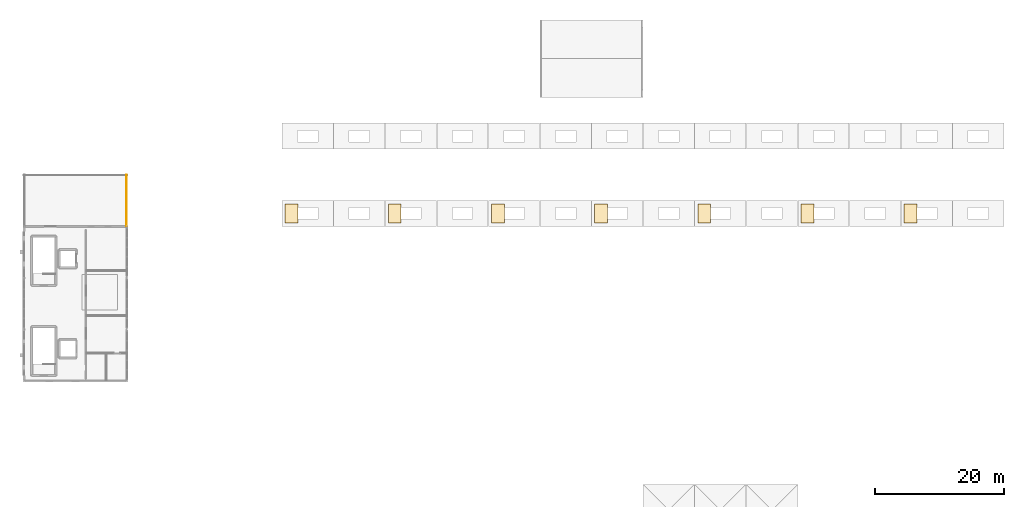
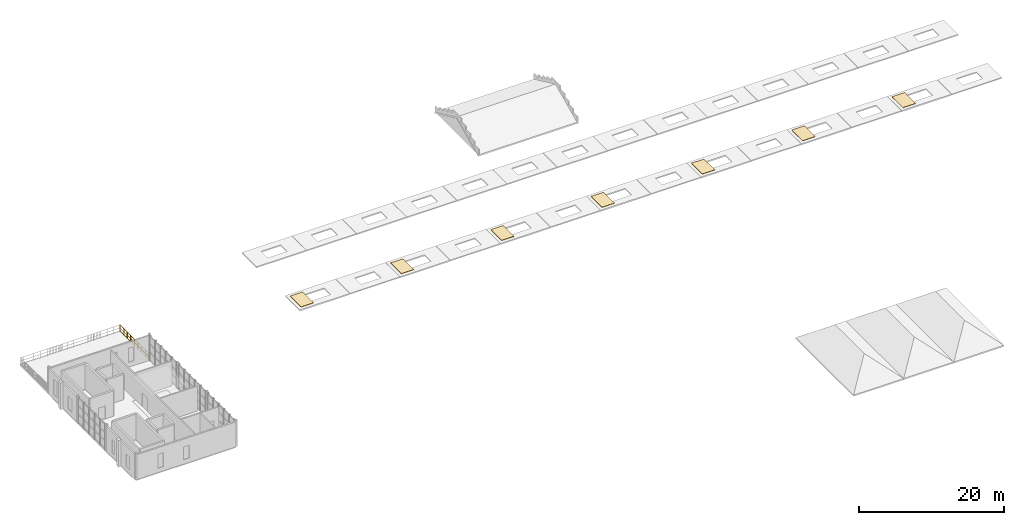
# One storey, part 9 of 9: 7 coverings, 1 railing.
"""IFC4 building model written with IfcOpenShell, lengths in metres."""

from ifc_helpers import new_model, si_unit, direction, frame, origin, origin_2d, place, context, subcontext, project, spatial, polyline, rectangle, outline, extrude, material, layer, layer_set, type_object, element, save


model = new_model("IFC4")

# Units and contexts
model_context = context("Model", 3, precision=1e-05, world=origin(), true_north=direction((0.0, 1.0)))
body_context = subcontext(model_context, "Body", "Model", "MODEL_VIEW")
ifc_project = project(units=[si_unit("LENGTHUNIT", "METRE"), si_unit("AREAUNIT", "SQUARE_METRE"), si_unit("VOLUMEUNIT", "CUBIC_METRE"), si_unit("PLANEANGLEUNIT", "RADIAN"), si_unit("MASSUNIT", "GRAM", prefix="KILO")], contexts=[model_context])

# Site, building, storey
site_placement = place(None, origin())
site = spatial("IfcSite", under=ifc_project, at=site_placement, CompositionType="ELEMENT")
building_placement = place(site_placement, origin())
building = spatial("IfcBuilding", under=site, at=building_placement, Name="Serraluz Foothill Cableway Terminal", CompositionType="ELEMENT")
storey_placement = place(building_placement, frame((0.0, 0.0, 19.800048828125)))
storey = spatial("IfcBuildingStorey", under=building, at=storey_placement, Name="L04", CompositionType="ELEMENT", Elevation=19.800048828125)

# Coverings
ifc_material_1 = material(Name="Standing-seam zinc-titanium roof assembly", Category="metal")
ifc_layer_1 = layer(ifc_material_1, 0.06005859375, Name="Standing-seam zinc-titanium roof assembly", Category="metal")
ifc_layer_set_1 = layer_set([ifc_layer_1], Name="Standing-seam zinc-titanium roof assembly")
covering_type = type_object("IfcCoveringType", Name="TYP-COV-ROOF-60", PredefinedType="ROOFING", material=ifc_layer_set_1)
covering_1_placement = place(storey_placement, origin())
element("IfcCovering", 1, at=covering_1_placement, inside=storey, type_object=covering_type, Name="Standing Seam Eaves Roofing 1", PredefinedType="ROOFING", context=body_context, shape_type="SweptSolid", body=[
    extrude(outline(polyline([(40.5, 56.5), (42.5, 56.5), (42.5, 59.5), (40.5, 59.5), (40.5, 56.5)])), origin(), (0.0, 0.0, 1.0), 0.06005859375),
])
covering_2_placement = place(storey_placement, origin())
element("IfcCovering", 2, at=covering_2_placement, inside=storey, type_object=covering_type, Name="Standing Seam Eaves Roofing 2", PredefinedType="ROOFING", context=body_context, shape_type="SweptSolid", body=[
    extrude(outline(polyline([(56.5, 56.5), (58.5, 56.5), (58.5, 59.5), (56.5, 59.5), (56.5, 56.5)])), origin(), (0.0, 0.0, 1.0), 0.06005859375),
])
covering_3_placement = place(storey_placement, origin())
element("IfcCovering", 3, at=covering_3_placement, inside=storey, type_object=covering_type, Name="Standing Seam Eaves Roofing 3", PredefinedType="ROOFING", context=body_context, shape_type="SweptSolid", body=[
    extrude(outline(polyline([(72.5, 56.5), (74.5, 56.5), (74.5, 59.5), (72.5, 59.5), (72.5, 56.5)])), origin(), (0.0, 0.0, 1.0), 0.06005859375),
])
covering_4_placement = place(storey_placement, origin())
element("IfcCovering", 4, at=covering_4_placement, inside=storey, type_object=covering_type, Name="Standing Seam Eaves Roofing 4", PredefinedType="ROOFING", context=body_context, shape_type="SweptSolid", body=[
    extrude(outline(polyline([(88.5, 56.5), (90.5, 56.5), (90.5, 59.5), (88.5, 59.5), (88.5, 56.5)])), origin(), (0.0, 0.0, 1.0), 0.06005859375),
])
covering_5_placement = place(storey_placement, origin())
element("IfcCovering", 5, at=covering_5_placement, inside=storey, type_object=covering_type, Name="Standing Seam Eaves Roofing 5", PredefinedType="ROOFING", context=body_context, shape_type="SweptSolid", body=[
    extrude(outline(polyline([(104.5, 56.5), (106.5, 56.5), (106.5, 59.5), (104.5, 59.5), (104.5, 56.5)])), origin(), (0.0, 0.0, 1.0), 0.06005859375),
])
covering_6_placement = place(storey_placement, origin())
element("IfcCovering", 6, at=covering_6_placement, inside=storey, type_object=covering_type, Name="Standing Seam Eaves Roofing 6", PredefinedType="ROOFING", context=body_context, shape_type="SweptSolid", body=[
    extrude(outline(polyline([(120.5, 56.5), (122.5, 56.5), (122.5, 59.5), (120.5, 59.5), (120.5, 56.5)])), origin(), (0.0, 0.0, 1.0), 0.06005859375),
])
covering_7_placement = place(storey_placement, origin())
element("IfcCovering", 7, at=covering_7_placement, inside=storey, type_object=covering_type, Name="Standing Seam Eaves Roofing 7", PredefinedType="ROOFING", context=body_context, shape_type="SweptSolid", body=[
    extrude(outline(polyline([(136.5, 56.5), (138.5, 56.5), (138.5, 59.5), (136.5, 59.5), (136.5, 56.5)])), origin(), (0.0, 0.0, 1.0), 0.06005859375),
])

# Railing
ifc_material_2 = material(Name="Steel ASTM A572 Grade 50", Category="steel")
ifc_layer_2 = layer(ifc_material_2, 0.06005859375, Name="Steel ASTM A572 Grade 50", Category="steel")
ifc_layer_set_2 = layer_set([ifc_layer_2], Name="Steel ASTM A572 Grade 50")
railing_type = type_object("IfcRailingType", Name="TYP-RL-BAL-1150", PredefinedType="BALUSTRADE", material=ifc_layer_set_2)
railing_placement = place(storey_placement, frame((15.919921875, 56.0, 0.0)))
element("IfcRailing", 8, at=railing_placement, inside=storey, type_object=railing_type, Name="BALUSTRADE BAL-TER-L04-V5-1", PredefinedType="BALUSTRADE", context=body_context, shape_type="SweptSolid", body=[
    extrude(rectangle(XDim=0.048095703125, YDim=0.048095703125, at=origin_2d()), frame((0.0, 0.0, 1.1259765625), z_axis=(0.0, 1.0, 0.0), x_axis=(-1.0, 0.0, 0.0)), (0.0, 0.0, 1.0), 8.0),
    extrude(rectangle(XDim=0.048095703125, YDim=0.048095703125, at=origin_2d()), frame((0.0, 0.0, 0.597900390625), z_axis=(0.0, 1.0, 0.0), x_axis=(-1.0, 0.0, 0.0)), (0.0, 0.0, 1.0), 8.0),
    extrude(rectangle(XDim=0.048095703125, YDim=0.048095703125, at=origin_2d()), frame((0.0, 0.0, 0.1201171875), z_axis=(0.0, 1.0, 0.0), x_axis=(-1.0, 0.0, 0.0)), (0.0, 0.0, 1.0), 8.0),
    extrude(rectangle(XDim=0.02001953125, YDim=0.02001953125, at=origin_2d()), frame((0.0, 0.242431640625, 0.1201171875)), (0.0, 0.0, 1.0), 0.981689453125),
    extrude(rectangle(XDim=0.02001953125, YDim=0.02001953125, at=origin_2d()), frame((0.0, 0.48486328125, 0.1201171875)), (0.0, 0.0, 1.0), 0.981689453125),
    extrude(rectangle(XDim=0.02001953125, YDim=0.02001953125, at=origin_2d()), frame((0.0, 0.727294921875, 0.1201171875)), (0.0, 0.0, 1.0), 0.981689453125),
    extrude(rectangle(XDim=0.02001953125, YDim=0.02001953125, at=origin_2d()), frame((0.0, 1.212158203125, 0.1201171875)), (0.0, 0.0, 1.0), 0.981689453125),
    extrude(rectangle(XDim=0.02001953125, YDim=0.02001953125, at=origin_2d()), frame((0.0, 1.45458984375, 0.1201171875)), (0.0, 0.0, 1.0), 0.981689453125),
    extrude(rectangle(XDim=0.02001953125, YDim=0.02001953125, at=origin_2d()), frame((0.0, 1.697021484375, 0.1201171875)), (0.0, 0.0, 1.0), 0.981689453125),
    extrude(rectangle(XDim=0.02001953125, YDim=0.02001953125, at=origin_2d()), frame((0.0, 1.939453125, 0.1201171875)), (0.0, 0.0, 1.0), 0.981689453125),
    extrude(rectangle(XDim=0.02001953125, YDim=0.02001953125, at=origin_2d()), frame((0.0, 2.181884765625, 0.1201171875)), (0.0, 0.0, 1.0), 0.981689453125),
    extrude(rectangle(XDim=0.02001953125, YDim=0.02001953125, at=origin_2d()), frame((0.0, 2.42431640625, 0.1201171875)), (0.0, 0.0, 1.0), 0.981689453125),
    extrude(rectangle(XDim=0.02001953125, YDim=0.02001953125, at=origin_2d()), frame((0.0, 2.666748046875, 0.1201171875)), (0.0, 0.0, 1.0), 0.981689453125),
    extrude(rectangle(XDim=0.02001953125, YDim=0.02001953125, at=origin_2d()), frame((0.0, 2.9091796875, 0.1201171875)), (0.0, 0.0, 1.0), 0.981689453125),
    extrude(rectangle(XDim=0.02001953125, YDim=0.02001953125, at=origin_2d()), frame((0.0, 3.151611328125, 0.1201171875)), (0.0, 0.0, 1.0), 0.981689453125),
    extrude(rectangle(XDim=0.02001953125, YDim=0.02001953125, at=origin_2d()), frame((0.0, 3.39404296875, 0.1201171875)), (0.0, 0.0, 1.0), 0.981689453125),
    extrude(rectangle(XDim=0.02001953125, YDim=0.02001953125, at=origin_2d()), frame((0.0, 3.636474609375, 0.1201171875)), (0.0, 0.0, 1.0), 0.981689453125),
    extrude(rectangle(XDim=0.02001953125, YDim=0.02001953125, at=origin_2d()), frame((0.0, 3.87890625, 0.1201171875)), (0.0, 0.0, 1.0), 0.981689453125),
    extrude(rectangle(XDim=0.02001953125, YDim=0.02001953125, at=origin_2d()), frame((0.0, 4.12109375, 0.1201171875)), (0.0, 0.0, 1.0), 0.981689453125),
    extrude(rectangle(XDim=0.02001953125, YDim=0.02001953125, at=origin_2d()), frame((0.0, 4.363525390625, 0.1201171875)), (0.0, 0.0, 1.0), 0.981689453125),
    extrude(rectangle(XDim=0.02001953125, YDim=0.02001953125, at=origin_2d()), frame((0.0, 4.60595703125, 0.1201171875)), (0.0, 0.0, 1.0), 0.981689453125),
    extrude(rectangle(XDim=0.02001953125, YDim=0.02001953125, at=origin_2d()), frame((0.0, 4.848388671875, 0.1201171875)), (0.0, 0.0, 1.0), 0.981689453125),
    extrude(rectangle(XDim=0.02001953125, YDim=0.02001953125, at=origin_2d()), frame((0.0, 5.0908203125, 0.1201171875)), (0.0, 0.0, 1.0), 0.981689453125),
    extrude(rectangle(XDim=0.02001953125, YDim=0.02001953125, at=origin_2d()), frame((0.0, 5.333251953125, 0.1201171875)), (0.0, 0.0, 1.0), 0.981689453125),
    extrude(rectangle(XDim=0.02001953125, YDim=0.02001953125, at=origin_2d()), frame((0.0, 5.57568359375, 0.1201171875)), (0.0, 0.0, 1.0), 0.981689453125),
    extrude(rectangle(XDim=0.02001953125, YDim=0.02001953125, at=origin_2d()), frame((0.0, 5.818115234375, 0.1201171875)), (0.0, 0.0, 1.0), 0.981689453125),
    extrude(rectangle(XDim=0.02001953125, YDim=0.02001953125, at=origin_2d()), frame((0.0, 6.060546875, 0.1201171875)), (0.0, 0.0, 1.0), 0.981689453125),
    extrude(rectangle(XDim=0.02001953125, YDim=0.02001953125, at=origin_2d()), frame((0.0, 6.302978515625, 0.1201171875)), (0.0, 0.0, 1.0), 0.981689453125),
    extrude(rectangle(XDim=0.02001953125, YDim=0.02001953125, at=origin_2d()), frame((0.0, 6.54541015625, 0.1201171875)), (0.0, 0.0, 1.0), 0.981689453125),
    extrude(rectangle(XDim=0.02001953125, YDim=0.02001953125, at=origin_2d()), frame((0.0, 6.787841796875, 0.1201171875)), (0.0, 0.0, 1.0), 0.981689453125),
    extrude(rectangle(XDim=0.02001953125, YDim=0.02001953125, at=origin_2d()), frame((0.0, 7.272705078125, 0.1201171875)), (0.0, 0.0, 1.0), 0.981689453125),
    extrude(rectangle(XDim=0.02001953125, YDim=0.02001953125, at=origin_2d()), frame((0.0, 7.51513671875, 0.1201171875)), (0.0, 0.0, 1.0), 0.981689453125),
    extrude(rectangle(XDim=0.02001953125, YDim=0.02001953125, at=origin_2d()), frame((0.0, 7.757568359375, 0.1201171875)), (0.0, 0.0, 1.0), 0.981689453125),
    extrude(rectangle(XDim=0.0439453125, YDim=0.0439453125, at=origin_2d()), origin(), (0.0, 0.0, 1.0), 1.101806640625),
    extrude(rectangle(XDim=0.0439453125, YDim=0.0439453125, at=origin_2d()), frame((0.0, 1.0, 0.0)), (0.0, 0.0, 1.0), 1.101806640625),
    extrude(rectangle(XDim=0.0439453125, YDim=0.0439453125, at=origin_2d()), frame((0.0, 2.0, 0.0)), (0.0, 0.0, 1.0), 1.101806640625),
    extrude(rectangle(XDim=0.0439453125, YDim=0.0439453125, at=origin_2d()), frame((0.0, 3.0, 0.0)), (0.0, 0.0, 1.0), 1.101806640625),
    extrude(rectangle(XDim=0.0439453125, YDim=0.0439453125, at=origin_2d()), frame((0.0, 4.0, 0.0)), (0.0, 0.0, 1.0), 1.101806640625),
    extrude(rectangle(XDim=0.0439453125, YDim=0.0439453125, at=origin_2d()), frame((0.0, 5.0, 0.0)), (0.0, 0.0, 1.0), 1.101806640625),
    extrude(rectangle(XDim=0.0439453125, YDim=0.0439453125, at=origin_2d()), frame((0.0, 6.0, 0.0)), (0.0, 0.0, 1.0), 1.101806640625),
    extrude(rectangle(XDim=0.0439453125, YDim=0.0439453125, at=origin_2d()), frame((0.0, 7.0, 0.0)), (0.0, 0.0, 1.0), 1.101806640625),
    extrude(rectangle(XDim=0.0439453125, YDim=0.0439453125, at=origin_2d()), frame((0.0, 8.0, 0.0)), (0.0, 0.0, 1.0), 1.101806640625),
])

save(model, "model.ifc")
